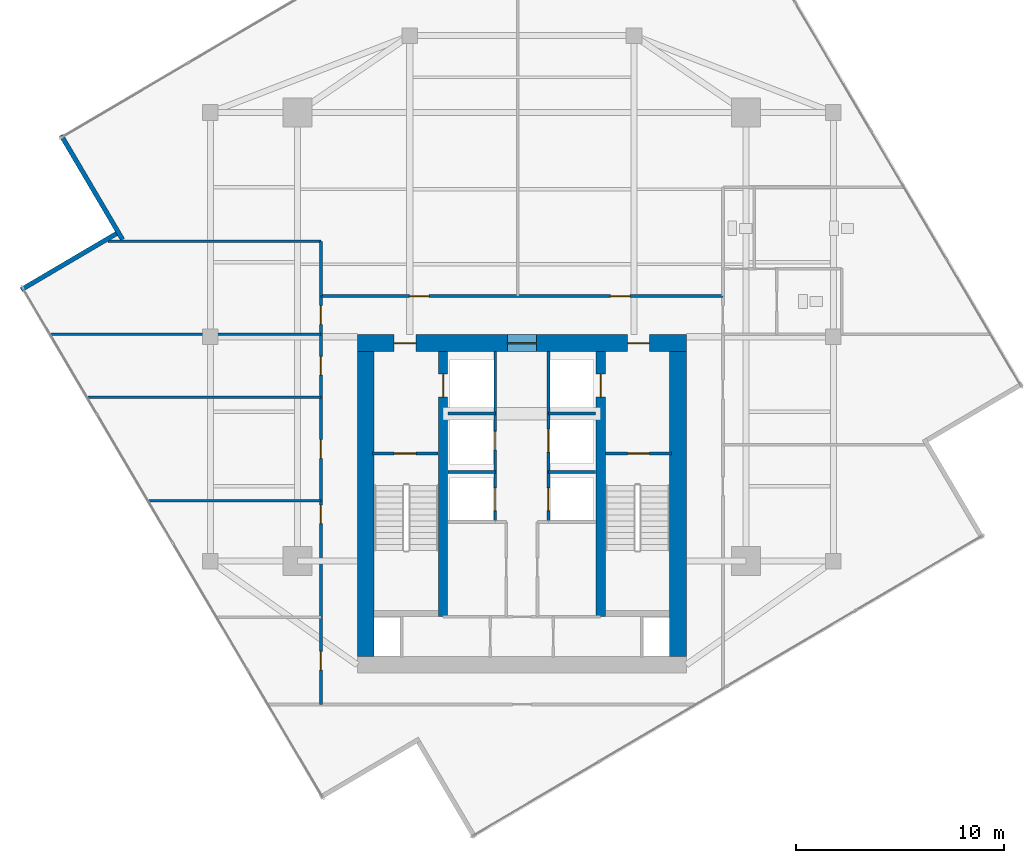
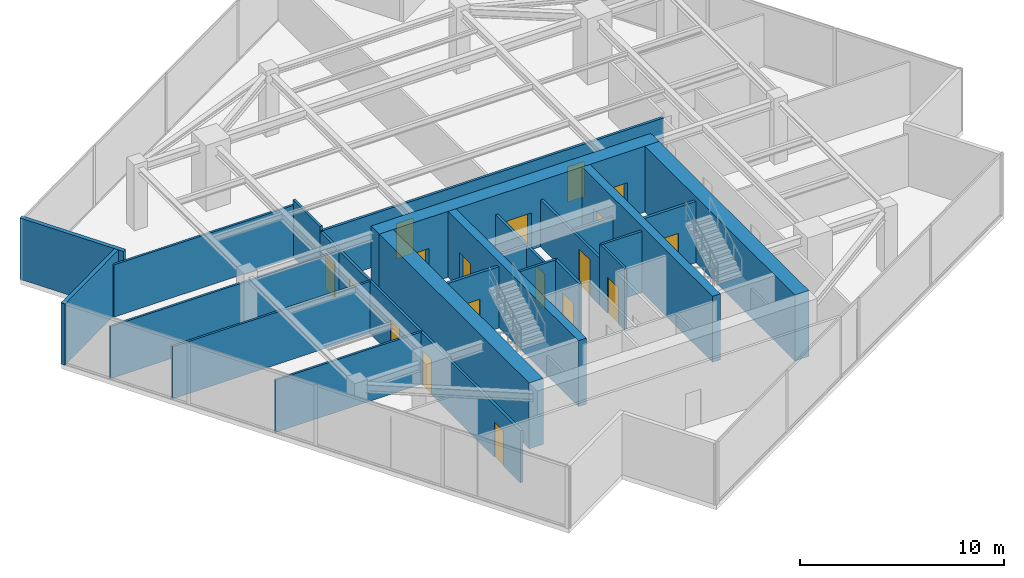
# One storey, part 17 of 20: 24 walls, 18 doors, 18 openings.
"""IFC4 building model written with IfcOpenShell, lengths in metres."""

import ifcopenshell
import ifcopenshell.guid

model = None  # the IFC model being written
_history = None  # IfcOwnerHistory: only IFC2X3 demands one
_inside = {}  # id of a spatial element -> (the spatial element, [elements in it])
_under = {}  # id of a project, library or spatial element -> (it, [spatial elements below it])
_declared = {}  # id of a project -> (the project, [libraries it declares])
_typed = {}  # id of a type object -> (the type object, [elements of that type])
_made_of = {}  # id of a material, layer set ... -> (it, [elements and type objects made of it])


def new_model(schema):
    """Start an empty IFC model of exactly this schema.

    Asked for "IFC4X3", IfcOpenShell would pick the latest addendum, in which some entities
    have other attributes; the version numbers below select the first issue.
    IFC2X3 requires an IfcOwnerHistory on every rooted entity: one is made here for all.
    """
    global model, _history
    if schema == "IFC4X3":
        model = ifcopenshell.file(schema_version=(4, 3, 0, 0))
    else:
        model = ifcopenshell.file(schema=schema)
    _inside.clear()
    _under.clear()
    _declared.clear()
    _typed.clear()
    _made_of.clear()
    _history = None
    if model.schema == "IFC2X3":
        org = make("IfcOrganization", Name="unknown")
        user = make(
            "IfcPersonAndOrganization",
            ThePerson=make("IfcPerson", FamilyName="unknown"),
            TheOrganization=org,
        )
        app = make(
            "IfcApplication",
            ApplicationDeveloper=org,
            Version="unknown",
            ApplicationFullName="unknown",
            ApplicationIdentifier="unknown",
        )
        _history = make(
            "IfcOwnerHistory",
            OwningUser=user,
            OwningApplication=app,
            ChangeAction="ADDED",
            CreationDate=0,
        )
    return model


def make(cls, **values):
    """One entity of the class cls with the attributes given. An attribute that is None is left unset."""
    return model.create_entity(
        cls, **{name: value for name, value in values.items() if value is not None}
    )


def rooted(cls, **values):
    """An entity with a GlobalId (a new one), such as an element, a storey or a relation."""
    return make(cls, GlobalId=ifcopenshell.guid.new(), OwnerHistory=_history, **values)


def si_unit(unit_type, name, prefix=None):
    """IfcSIUnit, for example si_unit("LENGTHUNIT", "METRE", prefix="MILLI")."""
    return make("IfcSIUnit", UnitType=unit_type, Prefix=prefix, Name=name)


def assignment(units):
    """IfcUnitAssignment: the units of a project."""
    return None if units is None else make("IfcUnitAssignment", Units=units)


def point(xyz):
    """IfcCartesianPoint."""
    return None if xyz is None else make("IfcCartesianPoint", Coordinates=xyz)


def direction(xyz):
    """IfcDirection."""
    return None if xyz is None else make("IfcDirection", DirectionRatios=xyz)


def frame(location, z_axis=None, x_axis=None):
    """IfcAxis2Placement3D, a coordinate frame: its origin and axes. An axis left out is left unset."""
    return make(
        "IfcAxis2Placement3D",
        Location=point(location),
        Axis=direction(z_axis),
        RefDirection=direction(x_axis),
    )


def frame_2d(location, x_axis=None):
    """IfcAxis2Placement2D, a coordinate frame in the plane: its origin and x axis."""
    return make(
        "IfcAxis2Placement2D", Location=point(location), RefDirection=direction(x_axis)
    )


def origin():
    """The frame at (0, 0, 0) with its axes left unset."""
    return frame((0.0, 0.0, 0.0))


def place(relative_to, where):
    """IfcLocalPlacement: puts the frame where relative to a parent placement (None: the world)."""
    return make(
        "IfcLocalPlacement", PlacementRelTo=relative_to, RelativePlacement=where
    )


def context(
    kind, dimensions, precision=None, world=None, true_north=None, identifier=None
):
    """IfcGeometricRepresentationContext, for example the 3D "Model" context."""
    return make(
        "IfcGeometricRepresentationContext",
        ContextIdentifier=identifier,
        ContextType=kind,
        CoordinateSpaceDimension=dimensions,
        Precision=precision,
        WorldCoordinateSystem=world,
        TrueNorth=true_north,
    )


def subcontext(parent, identifier, kind, view, scale=None):
    """IfcGeometricRepresentationSubContext, for example "Body" below "Model"."""
    return make(
        "IfcGeometricRepresentationSubContext",
        ContextIdentifier=identifier,
        ContextType=kind,
        ParentContext=parent,
        TargetScale=scale,
        TargetView=view,
    )


def project(units=None, contexts=None):
    """IfcProject with its units and contexts."""
    return rooted(
        "IfcProject",
        Name="project",
        RepresentationContexts=contexts,
        UnitsInContext=assignment(units),
    )


def spatial(cls, under=None, at=None, **own):
    """A site, building, storey or space (cls), placed at a placement, below another one or the project."""
    s = rooted(cls, ObjectPlacement=at, **own)
    if under is not None:
        _under.setdefault(under.id(), (under, []))[1].append(s)
    return s


def profile(cls, at=None, kind="AREA", **sizes):
    """A parametric profile (cls). Its sizes go by their IFC names, for example OverallWidth=200.0."""
    return make(cls, ProfileType=kind, Position=at, **sizes)


def rectangle(**sizes):
    """IfcRectangleProfileDef."""
    return profile("IfcRectangleProfileDef", **sizes)


def extrude(swept, where, along, depth):
    """IfcExtrudedAreaSolid: the profile swept, set in the frame where, extruded along a direction by depth."""
    return make(
        "IfcExtrudedAreaSolid",
        SweptArea=swept,
        Position=where,
        ExtrudedDirection=direction(along),
        Depth=depth,
    )


def shape(context_of_items, identifier, shape_type, items):
    """IfcShapeRepresentation: the items that make up one representation, for example the "Body"."""
    return make(
        "IfcShapeRepresentation",
        ContextOfItems=context_of_items,
        RepresentationIdentifier=identifier,
        RepresentationType=shape_type,
        Items=items,
    )


def material(Name=None, Category=None):
    """IfcMaterial."""
    return make("IfcMaterial", Name=Name, Category=Category)


def layer(
    of_material, thickness, ventilated=None, Name=None, Category=None, Priority=None
):
    """IfcMaterialLayer: one layer of a wall or slab, of a material (None: an air gap)."""
    return make(
        "IfcMaterialLayer",
        Material=of_material,
        LayerThickness=thickness,
        IsVentilated=ventilated,
        Name=Name,
        Category=Category,
        Priority=Priority,
    )


def layer_set(layers, Name=None):
    """IfcMaterialLayerSet."""
    return make("IfcMaterialLayerSet", MaterialLayers=layers, LayerSetName=Name)


def made_of(thing, what):
    """Note that an element or type object is made of a material, layer set ...; save() writes the relation."""
    if what is not None:
        _made_of.setdefault(what.id(), (what, []))[1].append(thing)
    return thing


def type_object(cls, material=None, **own):
    """A type object (cls), such as IfcWallType, which elements share."""
    return made_of(rooted(cls, **own), material)


def element(
    cls,
    number,
    at=None,
    inside=None,
    cuts=None,
    type_object=None,
    material=None,
    context=None,
    identifier="Body",
    shape_type=None,
    held_by="IfcProductDefinitionShape",
    body=None,
    shapes=None,
    **own,
):
    """One element of the class cls, such as IfcWall. Its Tag is "e" and its number.

    at: its placement. inside: the storey or other place that contains it. cuts: it is an
    opening in that element (IfcRelVoidsElement). A single representation is given by context,
    identifier, shape_type and body (its items); several are given by shapes. held_by: the class
    of the entity that holds the representations. save() writes the other relations.
    """
    e = rooted(cls, Tag="e%d" % number, ObjectPlacement=at, **own)
    if body is not None:
        shapes = [shape(context, identifier, shape_type, body)]
    if shapes is not None:
        e.Representation = make(held_by, Representations=shapes)
    if inside is not None:
        _inside.setdefault(inside.id(), (inside, []))[1].append(e)
    if cuts is not None:
        rooted(
            "IfcRelVoidsElement", RelatingBuildingElement=cuts, RelatedOpeningElement=e
        )
    if type_object is not None:
        _typed.setdefault(type_object.id(), (type_object, []))[1].append(e)
    return made_of(e, material)


def fill(opening, filler):
    """IfcRelFillsElement: the door or window that sits in an opening."""
    return rooted(
        "IfcRelFillsElement",
        RelatingOpeningElement=opening,
        RelatedBuildingElement=filler,
    )


def aggregate(whole, parts):
    """IfcRelAggregates: a whole, such as a stair, and the parts it consists of."""
    return rooted("IfcRelAggregates", RelatingObject=whole, RelatedObjects=parts)


def save(model, path):
    """Write the relations noted so far, then the file.

    IfcRelAggregates (storeys below a building ...), IfcRelContainedInSpatialStructure (elements
    in a storey), IfcRelDefinesByType, IfcRelAssociatesMaterial and IfcRelDeclares: one each for
    every whole, place, type object, material and project.
    """
    for whole, parts in _under.values():
        aggregate(whole, parts)
    for where, things in _inside.values():
        rooted(
            "IfcRelContainedInSpatialStructure",
            RelatedElements=things,
            RelatingStructure=where,
        )
    for kind, things in _typed.values():
        rooted("IfcRelDefinesByType", RelatedObjects=things, RelatingType=kind)
    for what, things in _made_of.values():
        rooted("IfcRelAssociatesMaterial", RelatedObjects=things, RelatingMaterial=what)
    for by, libraries in _declared.values():
        rooted("IfcRelDeclares", RelatingContext=by, RelatedDefinitions=libraries)
    model.write(path)


model = new_model("IFC4")

# Units and contexts
model_context = context("Model", 3, precision=1e-05, world=origin(), true_north=direction((0.0, 1.0)))
body_context = subcontext(model_context, "Body", "Model", "MODEL_VIEW")
ifc_project = project(units=[si_unit("LENGTHUNIT", "METRE"), si_unit("AREAUNIT", "SQUARE_METRE"), si_unit("VOLUMEUNIT", "CUBIC_METRE"), si_unit("PLANEANGLEUNIT", "RADIAN"), si_unit("MASSUNIT", "GRAM", prefix="KILO")], contexts=[model_context])

# Site, building, storey
site_placement = place(None, origin())
site = spatial("IfcSite", under=ifc_project, at=site_placement, CompositionType="ELEMENT")
building_placement = place(site_placement, origin())
building = spatial("IfcBuilding", under=site, at=building_placement, Name="Krantzveldt Concourse Tower", CompositionType="ELEMENT")
storey_placement = place(building_placement, frame((0.0, 0.0, 299.0)))
storey = spatial("IfcBuildingStorey", under=building, at=storey_placement, Name="L73", CompositionType="ELEMENT", Elevation=299.0)

# Walls
ifc_material_1 = material(Name="Anodised aluminium 6063-T6", Category="aluminium")
ifc_layer_1 = layer(ifc_material_1, 0.219970703125, Name="Anodised aluminium 6063-T6", Category="aluminium")
ifc_layer_set_1 = layer_set([ifc_layer_1], Name="Anodised aluminium 6063-T6 (WL-EXT-NOTCH220)")
wall_type_1 = type_object("IfcWallType", Name="WL-EXT-NOTCH220", PredefinedType="ELEMENTEDWALL", material=ifc_layer_set_1)
wall_1_placement = place(storey_placement, frame((13.81298828125, 36.407470703125, 0.0), z_axis=(0.0, 0.0, 1.0), x_axis=(0.507550761113, -0.861621857252, 0.0)))
element("IfcWall", 1, at=wall_1_placement, inside=storey, type_object=wall_type_1, Name="EW-L73-NCH02", PredefinedType="ELEMENTEDWALL", context=body_context, shape_type="SweptSolid", body=[
    extrude(rectangle(XDim=5.829833984375, YDim=0.219970703125, at=frame_2d((2.9150390625, 0.0))), origin(), (0.0, 0.0, 1.0), 3.669921875),
])
wall_2_placement = place(storey_placement, frame((16.476806640625, 31.668701171875, 0.0), z_axis=(0.0, 0.0, 1.0), x_axis=(-0.861627616465, -0.507540984104, 0.0)))
element("IfcWall", 2, at=wall_2_placement, inside=storey, type_object=wall_type_1, Name="EW-L73-NCH03", PredefinedType="ELEMENTEDWALL", context=body_context, shape_type="SweptSolid", body=[
    extrude(rectangle(XDim=5.324951171875, YDim=0.219970703125, at=frame_2d((2.66259765625, 0.0))), origin(), (0.0, 0.0, 1.0), 3.669921875),
])
ifc_material_2 = material(Name="Fire-rated gypsum plasterboard on steel stud", Category="steel")
ifc_layer_2 = layer(ifc_material_2, 0.1201171875, Name="Fire-rated gypsum plasterboard on steel stud", Category="steel")
ifc_layer_set_2 = layer_set([ifc_layer_2], Name="Fire-rated gypsum plasterboard on steel stud (WL-PART-120)")
wall_type_2 = type_object("IfcWallType", Name="WL-PART-120", PredefinedType="PARTITIONING", material=ifc_layer_set_2)
wall_3_placement = place(storey_placement, frame((13.2861328125, 26.820068359375, 0.0), z_axis=(0.0, 0.0, 1.0), x_axis=(1.0, 0.0, 0.0)))
element("IfcWall", 3, at=wall_3_placement, inside=storey, type_object=wall_type_2, Name="WP-L73-PNTS", PredefinedType="PARTITIONING", context=body_context, shape_type="SweptSolid", body=[
    extrude(rectangle(XDim=13.033935546875, YDim=0.1201171875, at=frame_2d((6.51708984375, 0.0))), origin(), (0.0, 0.0, 1.0), 3.1298828125),
])
wall_4_placement = place(storey_placement, frame((16.077392578125, 31.300048828125, 0.0), z_axis=(0.0, 0.0, 1.0), x_axis=(1.0, 0.0, 0.0)))
element("IfcWall", 4, at=wall_4_placement, inside=storey, type_object=wall_type_2, Name="WP-L73-PNTN", PredefinedType="PARTITIONING", context=body_context, shape_type="SweptSolid", body=[
    extrude(rectangle(XDim=10.24267578125, YDim=0.1201171875, at=frame_2d((5.121337890625, 0.0))), origin(), (0.0, 0.0, 1.0), 3.1298828125),
])
wall_5_placement = place(storey_placement, frame((18.01025390625, 18.800048828125, 0.0), z_axis=(0.0, 0.0, 1.0), x_axis=(1.0, 0.0, 0.0)))
element("IfcWall", 5, at=wall_5_placement, inside=storey, type_object=wall_type_2, Name="WP-L73-WD2", PredefinedType="PARTITIONING", context=body_context, shape_type="SweptSolid", body=[
    extrude(rectangle(XDim=8.309814453125, YDim=0.1201171875, at=frame_2d((4.15478515625, 0.0))), origin(), (0.0, 0.0, 1.0), 3.1298828125),
])
wall_6_placement = place(storey_placement, frame((15.065185546875, 23.800048828125, 0.0), z_axis=(0.0, 0.0, 1.0), x_axis=(1.0, 0.0, 0.0)))
element("IfcWall", 6, at=wall_6_placement, inside=storey, type_object=wall_type_2, Name="WP-L73-WD3", PredefinedType="PARTITIONING", context=body_context, shape_type="SweptSolid", body=[
    extrude(rectangle(XDim=11.2548828125, YDim=0.1201171875, at=frame_2d((5.62744140625, 0.0))), origin(), (0.0, 0.0, 1.0), 3.1298828125),
])

# Wall, openings, doors
ifc_layer_3 = layer(ifc_material_2, 0.139892578125, Name="Fire-rated gypsum plasterboard on steel stud", Category="steel")
ifc_layer_set_3 = layer_set([ifc_layer_3], Name="Fire-rated gypsum plasterboard on steel stud (WL-PART-140)")
wall_type_3 = type_object("IfcWallType", Name="WL-PART-140", PredefinedType="PARTITIONING", material=ifc_layer_set_3)
wall_7_placement = place(storey_placement, frame((26.320068359375, 28.659912109375, 0.0), z_axis=(0.0, 0.0, 1.0), x_axis=(1.0, 0.0, 0.0)))
wall_7 = element("IfcWall", 7, at=wall_7_placement, inside=storey, type_object=wall_type_3, Name="WP-L73-CNHDR", PredefinedType="PARTITIONING", context=body_context, shape_type="SweptSolid", body=[
    extrude(rectangle(XDim=19.35986328125, YDim=0.139892578125, at=frame_2d((9.679931640625, 0.0))), origin(), (0.0, 0.0, 1.0), 3.179931640625),
])
opening_1_placement = place(wall_7_placement, frame((4.264892578125, 0.0, 0.0)))
opening_1 = element("IfcOpeningElement", 8, at=opening_1_placement, cuts=wall_7, Name="Opening D-IN095", PredefinedType="OPENING", context=body_context, shape_type="SweptSolid", body=[
    extrude(rectangle(XDim=0.949951171875, YDim=2.10009765625, at=frame_2d((0.47509765625, 1.050048828125))), frame((0.0, 0.080078125, 0.0), z_axis=(0.0, -1.0, 0.0), x_axis=(1.0, 0.0, 0.0)), (0.0, 0.0, 1.0), 0.159912109375),
])
opening_2_placement = place(wall_7_placement, frame((13.945068359375, 0.0, 0.0)))
opening_2 = element("IfcOpeningElement", 9, at=opening_2_placement, cuts=wall_7, Name="Opening D-IN095", PredefinedType="OPENING", context=body_context, shape_type="SweptSolid", body=[
    extrude(rectangle(XDim=0.949951171875, YDim=2.10009765625, at=frame_2d((0.47509765625, 1.050048828125))), frame((0.0, 0.080078125, 0.0), z_axis=(0.0, -1.0, 0.0), x_axis=(1.0, 0.0, 0.0)), (0.0, 0.0, 1.0), 0.159912109375),
])
ifc_material_3 = material(Name="Hardwood timber", Category="wood")
door_type_1 = type_object("IfcDoorType", Name="DR-INT-950", OperationType="SINGLE_SWING_LEFT", PredefinedType="DOOR", material=ifc_material_3)
door_1_placement = place(opening_1_placement, origin())
door_1 = element("IfcDoor", 10, at=door_1_placement, inside=storey, type_object=door_type_1, Name="DR-L73-NR1", OperationType="SINGLE_SWING_LEFT", OverallHeight=2.10009765625, OverallWidth=0.949951171875, PredefinedType="DOOR", context=body_context, shape_type="SweptSolid", body=[
    extrude(rectangle(XDim=0.949951171875, YDim=2.10009765625, at=frame_2d((0.47509765625, 1.050048828125))), frame((0.0, 0.02490234375, 0.0), z_axis=(0.0, -1.0, 0.0), x_axis=(1.0, 0.0, 0.0)), (0.0, 0.0, 1.0), 0.050048828125),
])
fill(opening_1, door_1)
door_2_placement = place(opening_2_placement, origin())
door_2 = element("IfcDoor", 11, at=door_2_placement, inside=storey, type_object=door_type_1, Name="DR-L73-NR2", OperationType="SINGLE_SWING_LEFT", OverallHeight=2.10009765625, OverallWidth=0.949951171875, PredefinedType="DOOR", context=body_context, shape_type="SweptSolid", body=[
    extrude(rectangle(XDim=0.949951171875, YDim=2.10009765625, at=frame_2d((0.47509765625, 1.050048828125))), frame((0.0, 0.02490234375, 0.0), z_axis=(0.0, -1.0, 0.0), x_axis=(1.0, 0.0, 0.0)), (0.0, 0.0, 1.0), 0.050048828125),
])
fill(opening_2, door_2)

wall_8_placement = place(storey_placement, frame((26.320068359375, 9.0, 0.0), z_axis=(0.0, 0.0, 1.0), x_axis=(0.0, 1.0, 0.0)))
wall_8 = element("IfcWall", 12, at=wall_8_placement, inside=storey, type_object=wall_type_3, Name="WP-L73-CWEST", PredefinedType="PARTITIONING", context=body_context, shape_type="SweptSolid", body=[
    extrude(rectangle(XDim=19.659912109375, YDim=0.139892578125, at=frame_2d((9.830078125, 0.0))), origin(), (0.0, 0.0, 1.0), 3.1298828125),
])
opening_3_placement = place(wall_8_placement, frame((18.300048828125, 0.0, 0.0)))
opening_3 = element("IfcOpeningElement", 13, at=opening_3_placement, cuts=wall_8, Name="Opening D-IN090", PredefinedType="OPENING", context=body_context, shape_type="SweptSolid", body=[
    extrude(rectangle(XDim=0.89990234375, YDim=2.10009765625, at=frame_2d((0.449951171875, 1.050048828125))), frame((0.0, 0.080078125, 0.0), z_axis=(0.0, -1.0, 0.0), x_axis=(1.0, 0.0, 0.0)), (0.0, 0.0, 1.0), 0.159912109375),
])
opening_4_placement = place(wall_8_placement, frame((1.64990234375, 0.0, 0.0)))
opening_4 = element("IfcOpeningElement", 14, at=opening_4_placement, cuts=wall_8, Name="Opening D-IN090", PredefinedType="OPENING", context=body_context, shape_type="SweptSolid", body=[
    extrude(rectangle(XDim=0.89990234375, YDim=2.10009765625, at=frame_2d((0.449951171875, 1.050048828125))), frame((0.0, 0.080078125, 0.0), z_axis=(0.0, -1.0, 0.0), x_axis=(1.0, 0.0, 0.0)), (0.0, 0.0, 1.0), 0.159912109375),
])
opening_5_placement = place(wall_8_placement, frame((8.699951171875, 0.0, 0.0)))
opening_5 = element("IfcOpeningElement", 15, at=opening_5_placement, cuts=wall_8, Name="Opening D-IN090", PredefinedType="OPENING", context=body_context, shape_type="SweptSolid", body=[
    extrude(rectangle(XDim=0.89990234375, YDim=2.10009765625, at=frame_2d((0.449951171875, 1.050048828125))), frame((0.0, 0.080078125, 0.0), z_axis=(0.0, -1.0, 0.0), x_axis=(1.0, 0.0, 0.0)), (0.0, 0.0, 1.0), 0.159912109375),
])
opening_6_placement = place(wall_8_placement, frame((11.85009765625, 0.0, 0.0)))
opening_6 = element("IfcOpeningElement", 16, at=opening_6_placement, cuts=wall_8, Name="Opening D-IN090", PredefinedType="OPENING", context=body_context, shape_type="SweptSolid", body=[
    extrude(rectangle(XDim=0.89990234375, YDim=2.10009765625, at=frame_2d((0.449951171875, 1.050048828125))), frame((0.0, 0.080078125, 0.0), z_axis=(0.0, -1.0, 0.0), x_axis=(1.0, 0.0, 0.0)), (0.0, 0.0, 1.0), 0.159912109375),
])
opening_7_placement = place(wall_8_placement, frame((15.860107421875, 0.0, 0.0)))
opening_7 = element("IfcOpeningElement", 17, at=opening_7_placement, cuts=wall_8, Name="Opening D-IN090", PredefinedType="OPENING", context=body_context, shape_type="SweptSolid", body=[
    extrude(rectangle(XDim=0.89990234375, YDim=2.10009765625, at=frame_2d((0.449951171875, 1.050048828125))), frame((0.0, 0.080078125, 0.0), z_axis=(0.0, -1.0, 0.0), x_axis=(1.0, 0.0, 0.0)), (0.0, 0.0, 1.0), 0.159912109375),
])
door_type_2 = type_object("IfcDoorType", Name="DR-INT-900", OperationType="SINGLE_SWING_LEFT", PredefinedType="DOOR", material=ifc_material_3)
door_3_placement = place(opening_3_placement, origin())
door_3 = element("IfcDoor", 18, at=door_3_placement, inside=storey, type_object=door_type_2, Name="DR-L73-PNT", OperationType="SINGLE_SWING_LEFT", OverallHeight=2.10009765625, OverallWidth=0.89990234375, PredefinedType="DOOR", context=body_context, shape_type="SweptSolid", body=[
    extrude(rectangle(XDim=0.89990234375, YDim=2.10009765625, at=frame_2d((0.449951171875, 1.050048828125))), frame((0.0, 0.02490234375, 0.0), z_axis=(0.0, -1.0, 0.0), x_axis=(1.0, 0.0, 0.0)), (0.0, 0.0, 1.0), 0.050048828125),
])
fill(opening_3, door_3)
door_4_placement = place(opening_4_placement, origin())
door_4 = element("IfcDoor", 19, at=door_4_placement, inside=storey, type_object=door_type_2, Name="DR-L73-WR1", OperationType="SINGLE_SWING_LEFT", OverallHeight=2.10009765625, OverallWidth=0.89990234375, PredefinedType="DOOR", context=body_context, shape_type="SweptSolid", body=[
    extrude(rectangle(XDim=0.89990234375, YDim=2.10009765625, at=frame_2d((0.449951171875, 1.050048828125))), frame((0.0, 0.02490234375, 0.0), z_axis=(0.0, -1.0, 0.0), x_axis=(1.0, 0.0, 0.0)), (0.0, 0.0, 1.0), 0.050048828125),
])
fill(opening_4, door_4)
door_5_placement = place(opening_5_placement, origin())
door_5 = element("IfcDoor", 20, at=door_5_placement, inside=storey, type_object=door_type_2, Name="DR-L73-WR2", OperationType="SINGLE_SWING_LEFT", OverallHeight=2.10009765625, OverallWidth=0.89990234375, PredefinedType="DOOR", context=body_context, shape_type="SweptSolid", body=[
    extrude(rectangle(XDim=0.89990234375, YDim=2.10009765625, at=frame_2d((0.449951171875, 1.050048828125))), frame((0.0, 0.02490234375, 0.0), z_axis=(0.0, -1.0, 0.0), x_axis=(1.0, 0.0, 0.0)), (0.0, 0.0, 1.0), 0.050048828125),
])
fill(opening_5, door_5)
door_6_placement = place(opening_6_placement, origin())
door_6 = element("IfcDoor", 21, at=door_6_placement, inside=storey, type_object=door_type_2, Name="DR-L73-WR3", OperationType="SINGLE_SWING_LEFT", OverallHeight=2.10009765625, OverallWidth=0.89990234375, PredefinedType="DOOR", context=body_context, shape_type="SweptSolid", body=[
    extrude(rectangle(XDim=0.89990234375, YDim=2.10009765625, at=frame_2d((0.449951171875, 1.050048828125))), frame((0.0, 0.02490234375, 0.0), z_axis=(0.0, -1.0, 0.0), x_axis=(1.0, 0.0, 0.0)), (0.0, 0.0, 1.0), 0.050048828125),
])
fill(opening_6, door_6)
door_7_placement = place(opening_7_placement, origin())
door_7 = element("IfcDoor", 22, at=door_7_placement, inside=storey, type_object=door_type_2, Name="DR-L73-WR4", OperationType="SINGLE_SWING_LEFT", OverallHeight=2.10009765625, OverallWidth=0.89990234375, PredefinedType="DOOR", context=body_context, shape_type="SweptSolid", body=[
    extrude(rectangle(XDim=0.89990234375, YDim=2.10009765625, at=frame_2d((0.449951171875, 1.050048828125))), frame((0.0, 0.02490234375, 0.0), z_axis=(0.0, -1.0, 0.0), x_axis=(1.0, 0.0, 0.0)), (0.0, 0.0, 1.0), 0.050048828125),
])
fill(opening_7, door_7)

# Wall
wall_9_placement = place(storey_placement, frame((26.320068359375, 28.659912109375, 0.0), z_axis=(0.0, 0.0, 1.0), x_axis=(0.0, 1.0, 0.0)))
element("IfcWall", 23, at=wall_9_placement, inside=storey, type_object=wall_type_3, Name="WP-L73-NWL", PredefinedType="PARTITIONING", context=body_context, shape_type="SweptSolid", body=[
    extrude(rectangle(XDim=2.64013671875, YDim=0.139892578125, at=frame_2d((1.320068359375, 0.0))), origin(), (0.0, 0.0, 1.0), 3.429931640625),
])

# Wall, opening, door
ifc_layer_4 = layer(ifc_material_2, 0.139892578125, Name="Fire-rated gypsum plasterboard on steel stud", Category="steel")
ifc_layer_set_4 = layer_set([ifc_layer_4], Name="Fire-rated gypsum plasterboard on steel stud (WL-PART-FR140)")
wall_type_4 = type_object("IfcWallType", Name="WL-PART-FR140", PredefinedType="PARTITIONING", material=ifc_layer_set_4)
wall_10_placement = place(storey_placement, frame((34.719970703125, 20.199951171875, 0.0), z_axis=(0.0, 0.0, 1.0), x_axis=(0.0, 1.0, 0.0)))
wall_10 = element("IfcWall", 24, at=wall_10_placement, inside=storey, type_object=wall_type_4, Name="WP-L73-SHNW", PredefinedType="PARTITIONING", context=body_context, shape_type="SweptSolid", body=[
    extrude(rectangle(XDim=5.780029296875, YDim=0.139892578125, at=frame_2d((2.89013671875, 0.0))), origin(), (0.0, 0.0, 1.0), 2.820068359375),
])
opening_8_placement = place(wall_10_placement, frame((1.050048828125, 0.0, 0.0)))
opening_8 = element("IfcOpeningElement", 25, at=opening_8_placement, cuts=wall_10, Name="Opening D-FD090", PredefinedType="OPENING", context=body_context, shape_type="SweptSolid", body=[
    extrude(rectangle(XDim=0.89990234375, YDim=2.10009765625, at=frame_2d((0.449951171875, 1.050048828125))), frame((0.0, 0.080078125, 0.0), z_axis=(0.0, -1.0, 0.0), x_axis=(1.0, 0.0, 0.0)), (0.0, 0.0, 1.0), 0.159912109375),
])
door_type_3 = type_object("IfcDoorType", Name="DR-FD60-900", OperationType="SINGLE_SWING_LEFT", PredefinedType="DOOR", material=ifc_material_3)
door_8_placement = place(opening_8_placement, origin())
door_8 = element("IfcDoor", 26, at=door_8_placement, inside=storey, type_object=door_type_3, Name="Electrical Riser Access Door L73", OperationType="SINGLE_SWING_LEFT", OverallHeight=2.10009765625, OverallWidth=0.89990234375, PredefinedType="DOOR", context=body_context, shape_type="SweptSolid", body=[
    extrude(rectangle(XDim=0.89990234375, YDim=2.10009765625, at=frame_2d((0.449951171875, 1.050048828125))), frame((0.0, 0.02490234375, 0.0), z_axis=(0.0, -1.0, 0.0), x_axis=(1.0, 0.0, 0.0)), (0.0, 0.0, 1.0), 0.050048828125),
])
fill(opening_8, door_8)

wall_11_placement = place(storey_placement, frame((37.280029296875, 20.199951171875, 0.0), z_axis=(0.0, 0.0, 1.0), x_axis=(0.0, 1.0, 0.0)))
wall_11 = element("IfcWall", 27, at=wall_11_placement, inside=storey, type_object=wall_type_4, Name="WP-L73-SHNE", PredefinedType="PARTITIONING", context=body_context, shape_type="SweptSolid", body=[
    extrude(rectangle(XDim=5.780029296875, YDim=0.139892578125, at=frame_2d((2.89013671875, 0.0))), origin(), (0.0, 0.0, 1.0), 2.820068359375),
])
opening_9_placement = place(wall_11_placement, frame((0.949951171875, 0.0, 0.0)))
opening_9 = element("IfcOpeningElement", 28, at=opening_9_placement, cuts=wall_11, Name="Opening LD", PredefinedType="OPENING", context=body_context, shape_type="SweptSolid", body=[
    extrude(rectangle(XDim=1.10009765625, YDim=2.14990234375, at=frame_2d((0.550048828125, 1.074951171875))), frame((0.0, 0.080078125, 0.0), z_axis=(0.0, -1.0, 0.0), x_axis=(1.0, 0.0, 0.0)), (0.0, 0.0, 1.0), 0.159912109375),
])
ifc_material_4 = material(Name="Stainless steel 316L", Category="steel")
door_type_4 = type_object("IfcDoorType", Name="DR-SLIDE-LD1100", OperationType="DOUBLE_DOOR_SLIDING", PredefinedType="DOOR", material=ifc_material_4)
door_9_placement = place(opening_9_placement, origin())
door_9 = element("IfcDoor", 29, at=door_9_placement, inside=storey, type_object=door_type_4, Name="LD-L73-GL1", OperationType="DOUBLE_DOOR_SLIDING", OverallHeight=2.14990234375, OverallWidth=1.10009765625, PredefinedType="DOOR", context=body_context, shape_type="SweptSolid", body=[
    extrude(rectangle(XDim=1.10009765625, YDim=2.14990234375, at=frame_2d((0.550048828125, 1.074951171875))), frame((0.0, 0.02490234375, 0.0), z_axis=(0.0, -1.0, 0.0), x_axis=(1.0, 0.0, 0.0)), (0.0, 0.0, 1.0), 0.050048828125),
])
fill(opening_9, door_9)

# Walls
for number, where, z_axis, x_axis, name in (
    (30, (32.449951171875, 23.0, 0.0), (0.0, 0.0, 1.0), (1.0, 0.0, 0.0), "WP-L73-RISH"),
    (31, (37.280029296875, 23.0, 0.0), (0.0, 0.0, 1.0), (1.0, 0.0, 0.0), "WP-L73-GLH"),
):
    element("IfcWall", number, at=place(storey_placement, frame(where, z_axis=z_axis, x_axis=x_axis)), inside=storey, type_object=wall_type_4, Name=name, PredefinedType="PARTITIONING", context=body_context, shape_type="SweptSolid", body=[
        extrude(rectangle(XDim=2.27001953125, YDim=0.139892578125, at=frame_2d((1.135009765625, 0.0))), origin(), (0.0, 0.0, 1.0), 2.820068359375),
    ])

# Wall, opening, door
wall_12_placement = place(storey_placement, frame((34.719970703125, 17.780029296875, 0.0), z_axis=(0.0, 0.0, 1.0), x_axis=(0.0, 1.0, 0.0)))
wall_12 = element("IfcWall", 32, at=wall_12_placement, inside=storey, type_object=wall_type_4, Name="WP-L73-SHNW2", PredefinedType="PARTITIONING", context=body_context, shape_type="SweptSolid", body=[
    extrude(rectangle(XDim=2.419921875, YDim=0.139892578125, at=frame_2d((1.2099609375, 0.0))), origin(), (0.0, 0.0, 1.0), 3.669921875),
])
opening_10_placement = place(wall_12_placement, frame((0.550048828125, 0.0, 0.0)))
opening_10 = element("IfcOpeningElement", 33, at=opening_10_placement, cuts=wall_12, Name="Opening LD", PredefinedType="OPENING", context=body_context, shape_type="SweptSolid", body=[
    extrude(rectangle(XDim=1.10009765625, YDim=2.14990234375, at=frame_2d((0.550048828125, 1.074951171875))), frame((0.0, 0.080078125, 0.0), z_axis=(0.0, -1.0, 0.0), x_axis=(1.0, 0.0, 0.0)), (0.0, 0.0, 1.0), 0.159912109375),
])
door_10_placement = place(opening_10_placement, origin())
door_10 = element("IfcDoor", 34, at=door_10_placement, inside=storey, type_object=door_type_4, Name="LD-L73-PH1", OperationType="DOUBLE_DOOR_SLIDING", OverallHeight=2.14990234375, OverallWidth=1.10009765625, PredefinedType="DOOR", context=body_context, shape_type="SweptSolid", body=[
    extrude(rectangle(XDim=1.10009765625, YDim=2.14990234375, at=frame_2d((0.550048828125, 1.074951171875))), frame((0.0, 0.02490234375, 0.0), z_axis=(0.0, -1.0, 0.0), x_axis=(1.0, 0.0, 0.0)), (0.0, 0.0, 1.0), 0.050048828125),
])
fill(opening_10, door_10)

wall_13_placement = place(storey_placement, frame((37.280029296875, 17.780029296875, 0.0), z_axis=(0.0, 0.0, 1.0), x_axis=(0.0, 1.0, 0.0)))
wall_13 = element("IfcWall", 35, at=wall_13_placement, inside=storey, type_object=wall_type_4, Name="WP-L73-SHNE2", PredefinedType="PARTITIONING", context=body_context, shape_type="SweptSolid", body=[
    extrude(rectangle(XDim=2.419921875, YDim=0.139892578125, at=frame_2d((1.2099609375, 0.0))), origin(), (0.0, 0.0, 1.0), 3.669921875),
])
opening_11_placement = place(wall_13_placement, frame((0.550048828125, 0.0, 0.0)))
opening_11 = element("IfcOpeningElement", 36, at=opening_11_placement, cuts=wall_13, Name="Opening LD", PredefinedType="OPENING", context=body_context, shape_type="SweptSolid", body=[
    extrude(rectangle(XDim=1.10009765625, YDim=2.14990234375, at=frame_2d((0.550048828125, 1.074951171875))), frame((0.0, 0.080078125, 0.0), z_axis=(0.0, -1.0, 0.0), x_axis=(1.0, 0.0, 0.0)), (0.0, 0.0, 1.0), 0.159912109375),
])
door_11_placement = place(opening_11_placement, origin())
door_11 = element("IfcDoor", 37, at=door_11_placement, inside=storey, type_object=door_type_4, Name="LD-L73-PH2", OperationType="DOUBLE_DOOR_SLIDING", OverallHeight=2.14990234375, OverallWidth=1.10009765625, PredefinedType="DOOR", context=body_context, shape_type="SweptSolid", body=[
    extrude(rectangle(XDim=1.10009765625, YDim=2.14990234375, at=frame_2d((0.550048828125, 1.074951171875))), frame((0.0, 0.02490234375, 0.0), z_axis=(0.0, -1.0, 0.0), x_axis=(1.0, 0.0, 0.0)), (0.0, 0.0, 1.0), 0.050048828125),
])
fill(opening_11, door_11)

# Walls
for number, where, z_axis, x_axis, name in (
    (38, (32.449951171875, 20.179931640625, 0.0), (0.0, 0.0, 1.0), (1.0, 0.0, 0.0), "WP-L73-DIVW3"),
    (39, (37.280029296875, 20.179931640625, 0.0), (0.0, 0.0, 1.0), (1.0, 0.0, 0.0), "WP-L73-DIVE3"),
):
    element("IfcWall", number, at=place(storey_placement, frame(where, z_axis=z_axis, x_axis=x_axis)), inside=storey, type_object=wall_type_4, Name=name, PredefinedType="PARTITIONING", context=body_context, shape_type="SweptSolid", body=[
        extrude(rectangle(XDim=2.27001953125, YDim=0.139892578125, at=frame_2d((1.135009765625, 0.0))), origin(), (0.0, 0.0, 1.0), 3.669921875),
    ])

# Wall, opening, door
ifc_layer_5 = layer(ifc_material_2, 0.159912109375, Name="Fire-rated gypsum plasterboard on steel stud", Category="steel")
ifc_layer_set_5 = layer_set([ifc_layer_5], Name="Fire-rated gypsum plasterboard on steel stud (WL-PART-FR160)")
wall_type_5 = type_object("IfcWallType", Name="WL-PART-FR160", PredefinedType="PARTITIONING", material=ifc_layer_set_5)
wall_14_placement = place(storey_placement, frame((28.800048828125, 21.080078125, 0.0), z_axis=(0.0, 0.0, 1.0), x_axis=(1.0, 0.0, 0.0)))
wall_14 = element("IfcWall", 40, at=wall_14_placement, inside=storey, type_object=wall_type_5, Name="WP-L73-ST1", PredefinedType="PARTITIONING", context=body_context, shape_type="SweptSolid", body=[
    extrude(rectangle(XDim=3.159912109375, YDim=0.159912109375, at=frame_2d((1.580078125, 0.0))), origin(), (0.0, 0.0, 1.0), 3.669921875),
])
opening_12_placement = place(wall_14_placement, frame((1.054931640625, 0.0, 0.0)))
opening_12 = element("IfcOpeningElement", 41, at=opening_12_placement, cuts=wall_14, Name="Opening D-FD105", PredefinedType="OPENING", context=body_context, shape_type="SweptSolid", body=[
    extrude(rectangle(XDim=1.050048828125, YDim=2.10009765625, at=frame_2d((0.52490234375, 1.050048828125))), frame((0.0, 0.08984375, 0.0), z_axis=(0.0, -1.0, 0.0), x_axis=(1.0, 0.0, 0.0)), (0.0, 0.0, 1.0), 0.179931640625),
])
ifc_material_5 = material(Name="Galvanised steel", Category="steel")
door_type_5 = type_object("IfcDoorType", Name="DR-FD120-1050", OperationType="SINGLE_SWING_LEFT", PredefinedType="DOOR", material=ifc_material_5)
door_12_placement = place(opening_12_placement, origin())
door_12 = element("IfcDoor", 42, at=door_12_placement, inside=storey, type_object=door_type_5, Name="DR-L73-ST1", OperationType="SINGLE_SWING_RIGHT", OverallHeight=2.10009765625, OverallWidth=1.050048828125, PredefinedType="DOOR", context=body_context, shape_type="SweptSolid", body=[
    extrude(rectangle(XDim=1.050048828125, YDim=2.10009765625, at=frame_2d((0.52490234375, 1.050048828125))), frame((0.0, 0.02490234375, 0.0), z_axis=(0.0, -1.0, 0.0), x_axis=(1.0, 0.0, 0.0)), (0.0, 0.0, 1.0), 0.050048828125),
])
fill(opening_12, door_12)

wall_15_placement = place(storey_placement, frame((40.0400390625, 21.080078125, 0.0), z_axis=(0.0, 0.0, 1.0), x_axis=(1.0, 0.0, 0.0)))
wall_15 = element("IfcWall", 43, at=wall_15_placement, inside=storey, type_object=wall_type_5, Name="WP-L73-ST2", PredefinedType="PARTITIONING", context=body_context, shape_type="SweptSolid", body=[
    extrude(rectangle(XDim=3.159912109375, YDim=0.159912109375, at=frame_2d((1.580078125, 0.0))), origin(), (0.0, 0.0, 1.0), 3.669921875),
])
opening_13_placement = place(wall_15_placement, frame((1.054931640625, 0.0, 0.0)))
opening_13 = element("IfcOpeningElement", 44, at=opening_13_placement, cuts=wall_15, Name="Opening D-FD105", PredefinedType="OPENING", context=body_context, shape_type="SweptSolid", body=[
    extrude(rectangle(XDim=1.050048828125, YDim=2.10009765625, at=frame_2d((0.52490234375, 1.050048828125))), frame((0.0, 0.08984375, 0.0), z_axis=(0.0, -1.0, 0.0), x_axis=(1.0, 0.0, 0.0)), (0.0, 0.0, 1.0), 0.179931640625),
])
door_13_placement = place(opening_13_placement, origin())
door_13 = element("IfcDoor", 45, at=door_13_placement, inside=storey, type_object=door_type_5, Name="DR-L73-ST2", OperationType="SINGLE_SWING_LEFT", OverallHeight=2.10009765625, OverallWidth=1.050048828125, PredefinedType="DOOR", context=body_context, shape_type="SweptSolid", body=[
    extrude(rectangle(XDim=1.050048828125, YDim=2.10009765625, at=frame_2d((0.52490234375, 1.050048828125))), frame((0.0, 0.02490234375, 0.0), z_axis=(0.0, -1.0, 0.0), x_axis=(1.0, 0.0, 0.0)), (0.0, 0.0, 1.0), 0.050048828125),
])
fill(opening_13, door_13)

ifc_material_6 = material(Name="Concrete C50/60", Category="concrete")
ifc_layer_6 = layer(ifc_material_6, 0.449951171875, Name="Concrete C50/60", Category="concrete")
ifc_layer_set_6 = layer_set([ifc_layer_6], Name="Concrete C50/60 (WL-SHEAR-450)")
wall_type_6 = type_object("IfcWallType", Name="WL-SHEAR-450", PredefinedType="SHEAR", material=ifc_layer_set_6)
wall_16_placement = place(storey_placement, frame((32.205078125, 13.219970703125, 0.0), z_axis=(0.0, 0.0, 1.0), x_axis=(0.0, 1.0, 0.0)))
wall_16 = element("IfcWall", 46, at=wall_16_placement, inside=storey, type_object=wall_type_6, Name="CW-L73-IW", PredefinedType="SHEAR", context=body_context, shape_type="SweptSolid", body=[
    extrude(rectangle(XDim=12.780029296875, YDim=0.449951171875, at=frame_2d((6.39013671875, 0.0))), origin(), (0.0, 0.0, 1.0), 3.949951171875),
])
opening_14_placement = place(wall_16_placement, frame((10.580078125, 0.0, 0.0)))
opening_14 = element("IfcOpeningElement", 47, at=opening_14_placement, cuts=wall_16, Name="Opening LD", PredefinedType="OPENING", context=body_context, shape_type="SweptSolid", body=[
    extrude(rectangle(XDim=1.10009765625, YDim=2.14990234375, at=frame_2d((0.550048828125, 1.074951171875))), frame((0.0, 0.23486328125, 0.0), z_axis=(0.0, -1.0, 0.0), x_axis=(1.0, 0.0, 0.0)), (0.0, 0.0, 1.0), 0.469970703125),
])
door_14_placement = place(opening_14_placement, origin())
door_14 = element("IfcDoor", 48, at=door_14_placement, inside=storey, type_object=door_type_4, Name="LD-L73-FL1", OperationType="DOUBLE_DOOR_SLIDING", OverallHeight=2.14990234375, OverallWidth=1.10009765625, PredefinedType="DOOR", context=body_context, shape_type="SweptSolid", body=[
    extrude(rectangle(XDim=1.10009765625, YDim=2.14990234375, at=frame_2d((0.550048828125, 1.074951171875))), frame((0.0, 0.02490234375, 0.0), z_axis=(0.0, -1.0, 0.0), x_axis=(1.0, 0.0, 0.0)), (0.0, 0.0, 1.0), 0.050048828125),
])
fill(opening_14, door_14)

wall_17_placement = place(storey_placement, frame((39.794921875, 13.219970703125, 0.0), z_axis=(0.0, 0.0, 1.0), x_axis=(0.0, 1.0, 0.0)))
wall_17 = element("IfcWall", 49, at=wall_17_placement, inside=storey, type_object=wall_type_6, Name="CW-L73-IE", PredefinedType="SHEAR", context=body_context, shape_type="SweptSolid", body=[
    extrude(rectangle(XDim=12.780029296875, YDim=0.449951171875, at=frame_2d((6.39013671875, 0.0))), origin(), (0.0, 0.0, 1.0), 3.949951171875),
])
opening_15_placement = place(wall_17_placement, frame((10.580078125, 0.0, 0.0)))
opening_15 = element("IfcOpeningElement", 50, at=opening_15_placement, cuts=wall_17, Name="Opening LD", PredefinedType="OPENING", context=body_context, shape_type="SweptSolid", body=[
    extrude(rectangle(XDim=1.10009765625, YDim=2.14990234375, at=frame_2d((0.550048828125, 1.074951171875))), frame((0.0, 0.23486328125, 0.0), z_axis=(0.0, -1.0, 0.0), x_axis=(1.0, 0.0, 0.0)), (0.0, 0.0, 1.0), 0.469970703125),
])
door_15_placement = place(opening_15_placement, origin())
door_15 = element("IfcDoor", 51, at=door_15_placement, inside=storey, type_object=door_type_4, Name="LD-L73-FL2", OperationType="DOUBLE_DOOR_SLIDING", OverallHeight=2.14990234375, OverallWidth=1.10009765625, PredefinedType="DOOR", context=body_context, shape_type="SweptSolid", body=[
    extrude(rectangle(XDim=1.10009765625, YDim=2.14990234375, at=frame_2d((0.550048828125, 1.074951171875))), frame((0.0, 0.02490234375, 0.0), z_axis=(0.0, -1.0, 0.0), x_axis=(1.0, 0.0, 0.0)), (0.0, 0.0, 1.0), 0.050048828125),
])
fill(opening_15, door_15)

# Wall, openings, doors
ifc_material_7 = material(Name="Concrete C60/75", Category="concrete")
ifc_layer_7 = layer(ifc_material_7, 0.800048828125, Name="Concrete C60/75", Category="concrete")
ifc_layer_set_7 = layer_set([ifc_layer_7], Name="Concrete C60/75 (WL-SHEAR-800)")
wall_type_7 = type_object("IfcWallType", Name="WL-SHEAR-800", PredefinedType="SHEAR", material=ifc_layer_set_7)
wall_18_placement = place(storey_placement, frame((28.080078125, 26.39990234375, 0.0), z_axis=(0.0, 0.0, 1.0), x_axis=(1.0, 0.0, 0.0)))
wall_18 = element("IfcWall", 52, at=wall_18_placement, inside=storey, type_object=wall_type_7, Name="CW-L73-N", PredefinedType="SHEAR", context=body_context, shape_type="SweptSolid", body=[
    extrude(rectangle(XDim=15.83984375, YDim=0.800048828125, at=frame_2d((7.919921875, 0.0))), origin(), (0.0, 0.0, 1.0), 3.949951171875),
])
opening_16_placement = place(wall_18_placement, frame((7.219970703125, 0.0, 0.0)))
opening_16 = element("IfcOpeningElement", 53, at=opening_16_placement, cuts=wall_18, Name="Opening D-DB140", PredefinedType="OPENING", context=body_context, shape_type="SweptSolid", body=[
    extrude(rectangle(XDim=1.39990234375, YDim=2.199951171875, at=frame_2d((0.699951171875, 1.10009765625))), frame((0.0, 0.41015625, 0.0), z_axis=(0.0, -1.0, 0.0), x_axis=(1.0, 0.0, 0.0)), (0.0, 0.0, 1.0), 0.820068359375),
])
opening_17_placement = place(wall_18_placement, frame((1.77490234375, 0.0, 0.0)))
opening_17 = element("IfcOpeningElement", 54, at=opening_17_placement, cuts=wall_18, Name="Opening D-FD105", PredefinedType="OPENING", context=body_context, shape_type="SweptSolid", body=[
    extrude(rectangle(XDim=1.050048828125, YDim=2.10009765625, at=frame_2d((0.52490234375, 1.050048828125))), frame((0.0, 0.41015625, 0.0), z_axis=(0.0, -1.0, 0.0), x_axis=(1.0, 0.0, 0.0)), (0.0, 0.0, 1.0), 0.820068359375),
])
opening_18_placement = place(wall_18_placement, frame((13.014892578125, 0.0, 0.0)))
opening_18 = element("IfcOpeningElement", 55, at=opening_18_placement, cuts=wall_18, Name="Opening D-FD105", PredefinedType="OPENING", context=body_context, shape_type="SweptSolid", body=[
    extrude(rectangle(XDim=1.050048828125, YDim=2.10009765625, at=frame_2d((0.52490234375, 1.050048828125))), frame((0.0, 0.41015625, 0.0), z_axis=(0.0, -1.0, 0.0), x_axis=(1.0, 0.0, 0.0)), (0.0, 0.0, 1.0), 0.820068359375),
])
door_type_6 = type_object("IfcDoorType", Name="DR-DBL-1400", OperationType="DOUBLE_DOOR_SINGLE_SWING", PredefinedType="DOOR", material=ifc_material_1)
door_16_placement = place(opening_16_placement, origin())
door_16 = element("IfcDoor", 56, at=door_16_placement, inside=storey, type_object=door_type_6, Name="DR-L73-LLB", OperationType="DOUBLE_DOOR_SINGLE_SWING", OverallHeight=2.199951171875, OverallWidth=1.39990234375, PredefinedType="DOOR", context=body_context, shape_type="SweptSolid", body=[
    extrude(rectangle(XDim=1.39990234375, YDim=2.199951171875, at=frame_2d((0.699951171875, 1.10009765625))), frame((0.0, 0.02490234375, 0.0), z_axis=(0.0, -1.0, 0.0), x_axis=(1.0, 0.0, 0.0)), (0.0, 0.0, 1.0), 0.050048828125),
])
fill(opening_16, door_16)
door_17_placement = place(opening_17_placement, origin())
door_17 = element("IfcDoor", 57, at=door_17_placement, inside=storey, type_object=door_type_5, Name="DR-L73-FFL1", OperationType="SINGLE_SWING_LEFT", OverallHeight=2.10009765625, OverallWidth=1.050048828125, PredefinedType="DOOR", context=body_context, shape_type="SweptSolid", body=[
    extrude(rectangle(XDim=1.050048828125, YDim=2.10009765625, at=frame_2d((0.52490234375, 1.050048828125))), frame((0.0, 0.02490234375, 0.0), z_axis=(0.0, -1.0, 0.0), x_axis=(1.0, 0.0, 0.0)), (0.0, 0.0, 1.0), 0.050048828125),
])
fill(opening_17, door_17)
door_18_placement = place(opening_18_placement, origin())
door_18 = element("IfcDoor", 58, at=door_18_placement, inside=storey, type_object=door_type_5, Name="DR-L73-FFL2", OperationType="SINGLE_SWING_RIGHT", OverallHeight=2.10009765625, OverallWidth=1.050048828125, PredefinedType="DOOR", context=body_context, shape_type="SweptSolid", body=[
    extrude(rectangle(XDim=1.050048828125, YDim=2.10009765625, at=frame_2d((0.52490234375, 1.050048828125))), frame((0.0, 0.02490234375, 0.0), z_axis=(0.0, -1.0, 0.0), x_axis=(1.0, 0.0, 0.0)), (0.0, 0.0, 1.0), 0.050048828125),
])
fill(opening_18, door_18)

# Walls
for number, where, z_axis, x_axis, name in (
    (59, (28.47998046875, 11.300048828125, 0.0), (0.0, 0.0, 1.0), (0.0, 1.0, 0.0), "CW-L73-W"),
    (60, (43.52001953125, 11.300048828125, 0.0), (0.0, 0.0, 1.0), (0.0, 1.0, 0.0), "CW-L73-E"),
):
    element("IfcWall", number, at=place(storey_placement, frame(where, z_axis=z_axis, x_axis=x_axis)), inside=storey, type_object=wall_type_7, Name=name, PredefinedType="SHEAR", context=body_context, shape_type="SweptSolid", body=[
        extrude(rectangle(XDim=14.699951171875, YDim=0.800048828125, at=frame_2d((7.35009765625, 0.0))), origin(), (0.0, 0.0, 1.0), 3.949951171875),
    ])

save(model, "model.ifc")
